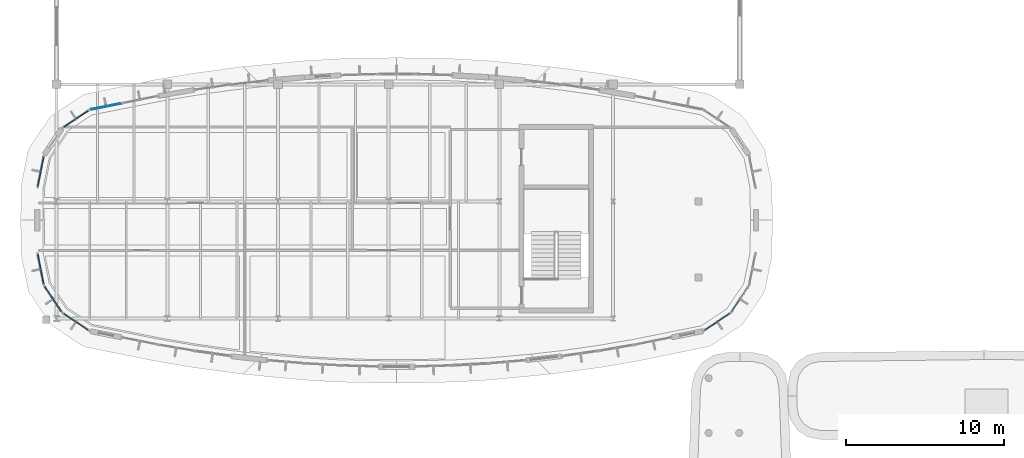
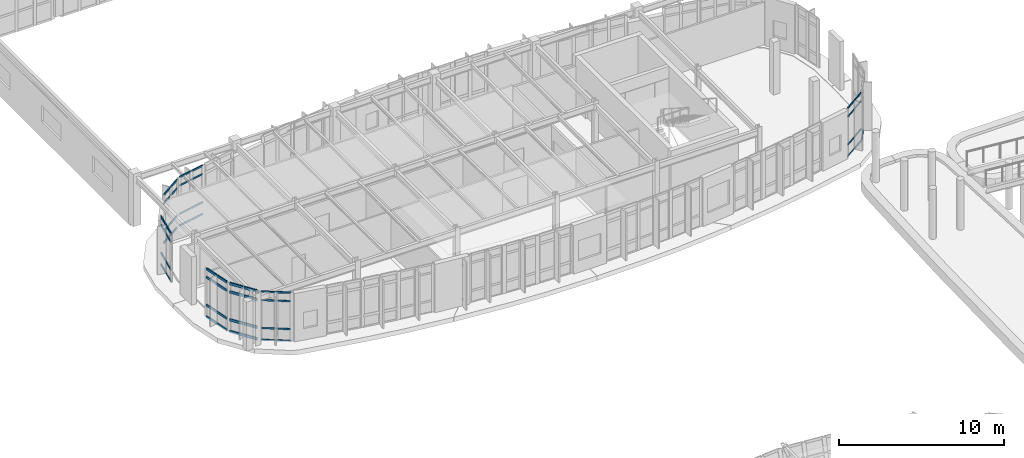
# One storey, part 60 of 111: 57 members, 8 elements without a shape of their own.
"""IFC4 building model written with IfcOpenShell, lengths in metres."""

from ifc_helpers import new_model, si_unit, direction, frame, origin, origin_2d, place, context, subcontext, project, spatial, rectangle, extrude, material, material_profile, profile_set, type_object, element, aggregate, save


model = new_model("IFC4")

# Units and contexts
model_context = context("Model", 3, precision=1e-05, world=origin(), true_north=direction((0.0, 1.0)))
body_context = subcontext(model_context, "Body", "Model", "MODEL_VIEW")
ifc_project = project(units=[si_unit("LENGTHUNIT", "METRE"), si_unit("AREAUNIT", "SQUARE_METRE"), si_unit("VOLUMEUNIT", "CUBIC_METRE"), si_unit("PLANEANGLEUNIT", "RADIAN"), si_unit("MASSUNIT", "GRAM", prefix="KILO")], contexts=[model_context])

# Site, building, storey
site_placement = place(None, origin())
site = spatial("IfcSite", under=ifc_project, at=site_placement, CompositionType="ELEMENT")
building_placement = place(site_placement, origin())
building = spatial("IfcBuilding", under=site, at=building_placement, Name="Corveleigh Park Community Centre", CompositionType="ELEMENT")
storey_placement = place(building_placement, frame((0.0, 0.0, 4.800048828125)))
storey = spatial("IfcBuildingStorey", under=building, at=storey_placement, Name="L01", CompositionType="ELEMENT", Elevation=4.800048828125)

# Curtain wall, members
ifc_material = material(Name="Anodised aluminium 6063-T6", Category="aluminium")
curtain_wall_type = type_object("IfcCurtainWallType", Name="CW-SYS-V2-HALL", PredefinedType="NOTDEFINED", material=ifc_material)
curtain_wall_1_placement = place(storey_placement, origin())
curtain_wall_1 = element("IfcCurtainWall", 1, at=curtain_wall_1_placement, inside=storey, type_object=curtain_wall_type, Name="V2 L01 Curtain Wall 206", PredefinedType="NOTDEFINED")
ifc_material_profile_1 = material_profile(ifc_material, rectangle(XDim=0.06005859375, YDim=0.1201171875, at=origin_2d()), Name="ALU-T60x120", Category="aluminium")
ifc_profile_set_1 = profile_set([ifc_material_profile_1], Name="Anodised aluminium 6063-T6")
member_type_1 = type_object("IfcMemberType", Name="CWT-60x120", PredefinedType="USERDEFINED", material=ifc_profile_set_1)
member_1_placement = place(storey_placement, frame((53.748046875, 78.2998046875, 0.030029296875), z_axis=(-0.831589501943, -0.555390763569, 0.0), x_axis=(0.555390763569, -0.831589501943, 0.0)))
member_1 = element("IfcMember", 2, at=member_1_placement, type_object=member_type_1, Name="CW04 transom 1.1", ObjectType="TRANSOM", PredefinedType="USERDEFINED", context=body_context, shape_type="SweptSolid", body=[
    extrude(rectangle(XDim=0.06005859375, YDim=0.1201171875, at=origin_2d()), origin(), (0.0, 0.0, 1.0), 0.897216796875),
])
member_2_placement = place(storey_placement, frame((53.748046875, 78.2998046875, 0.89990234375), z_axis=(-0.831589501943, -0.555390763569, 0.0), x_axis=(0.555390763569, -0.831589501943, 0.0)))
member_2 = element("IfcMember", 3, at=member_2_placement, type_object=member_type_1, Name="CW04 transom 1.2", ObjectType="TRANSOM", PredefinedType="USERDEFINED", context=body_context, shape_type="SweptSolid", body=[
    extrude(rectangle(XDim=0.06005859375, YDim=0.1201171875, at=origin_2d()), origin(), (0.0, 0.0, 1.0), 0.897216796875),
])
member_3_placement = place(storey_placement, frame((53.748046875, 78.2998046875, 2.969970703125), z_axis=(-0.831589501943, -0.555390763569, 0.0), x_axis=(0.555390763569, -0.831589501943, 0.0)))
member_3 = element("IfcMember", 4, at=member_3_placement, type_object=member_type_1, Name="CW04 transom 1.3", ObjectType="TRANSOM", PredefinedType="USERDEFINED", context=body_context, shape_type="SweptSolid", body=[
    extrude(rectangle(XDim=0.06005859375, YDim=0.1201171875, at=origin_2d()), origin(), (0.0, 0.0, 1.0), 0.897216796875),
])
member_4_placement = place(storey_placement, frame((53.748046875, 78.2998046875, 3.58984375), z_axis=(-0.831589501943, -0.555390763569, 0.0), x_axis=(0.555390763569, -0.831589501943, 0.0)))
member_4 = element("IfcMember", 5, at=member_4_placement, type_object=member_type_1, Name="CW04 transom 1.4", ObjectType="TRANSOM", PredefinedType="USERDEFINED", context=body_context, shape_type="SweptSolid", body=[
    extrude(rectangle(XDim=0.06005859375, YDim=0.1201171875, at=origin_2d()), origin(), (0.0, 0.0, 1.0), 0.897216796875),
])
member_5_placement = place(storey_placement, frame((52.947998046875, 77.765380859375, 0.030029296875), z_axis=(-0.831505536539, -0.555516464837, 0.0), x_axis=(0.555516464837, -0.831505536539, 0.0)))
member_5 = element("IfcMember", 6, at=member_5_placement, type_object=member_type_1, Name="CW04 transom 2.1", ObjectType="TRANSOM", PredefinedType="USERDEFINED", context=body_context, shape_type="SweptSolid", body=[
    extrude(rectangle(XDim=0.06005859375, YDim=0.1201171875, at=origin_2d()), origin(), (0.0, 0.0, 1.0), 0.89697265625),
])
member_6_placement = place(storey_placement, frame((52.947998046875, 77.765380859375, 0.89990234375), z_axis=(-0.831505536539, -0.555516464837, 0.0), x_axis=(0.555516464837, -0.831505536539, 0.0)))
member_6 = element("IfcMember", 7, at=member_6_placement, type_object=member_type_1, Name="CW04 transom 2.2", ObjectType="TRANSOM", PredefinedType="USERDEFINED", context=body_context, shape_type="SweptSolid", body=[
    extrude(rectangle(XDim=0.06005859375, YDim=0.1201171875, at=origin_2d()), origin(), (0.0, 0.0, 1.0), 0.89697265625),
])
member_7_placement = place(storey_placement, frame((52.947998046875, 77.765380859375, 2.969970703125), z_axis=(-0.831505536539, -0.555516464837, 0.0), x_axis=(0.555516464837, -0.831505536539, 0.0)))
member_7 = element("IfcMember", 8, at=member_7_placement, type_object=member_type_1, Name="CW04 transom 2.3", ObjectType="TRANSOM", PredefinedType="USERDEFINED", context=body_context, shape_type="SweptSolid", body=[
    extrude(rectangle(XDim=0.06005859375, YDim=0.1201171875, at=origin_2d()), origin(), (0.0, 0.0, 1.0), 0.89697265625),
])
member_8_placement = place(storey_placement, frame((52.947998046875, 77.765380859375, 3.58984375), z_axis=(-0.831505536539, -0.555516464837, 0.0), x_axis=(0.555516464837, -0.831505536539, 0.0)))
member_8 = element("IfcMember", 9, at=member_8_placement, type_object=member_type_1, Name="CW04 transom 2.4", ObjectType="TRANSOM", PredefinedType="USERDEFINED", context=body_context, shape_type="SweptSolid", body=[
    extrude(rectangle(XDim=0.06005859375, YDim=0.1201171875, at=origin_2d()), origin(), (0.0, 0.0, 1.0), 0.89697265625),
])
aggregate(curtain_wall_1, [member_1, member_2, member_3, member_4, member_5, member_6, member_7, member_8])

curtain_wall_2_placement = place(storey_placement, origin())
curtain_wall_2 = element("IfcCurtainWall", 10, at=curtain_wall_2_placement, inside=storey, type_object=curtain_wall_type, Name="V2 L01 Curtain Wall 221", PredefinedType="NOTDEFINED")
member_9_placement = place(storey_placement, frame((13.411376953125, 91.218505859375, 0.030029296875), z_axis=(0.9807064849, 0.195486036522, 0.0), x_axis=(-0.195486036522, 0.9807064849, 0.0)))
member_9 = element("IfcMember", 11, at=member_9_placement, type_object=member_type_1, Name="CW04 transom 1.1", ObjectType="TRANSOM", PredefinedType="USERDEFINED", context=body_context, shape_type="SweptSolid", body=[
    extrude(rectangle(XDim=0.06005859375, YDim=0.1201171875, at=origin_2d()), origin(), (0.0, 0.0, 1.0), 0.894287109375),
])
member_10_placement = place(storey_placement, frame((13.411376953125, 91.218505859375, 0.89990234375), z_axis=(0.9807064849, 0.195486036522, 0.0), x_axis=(-0.195486036522, 0.9807064849, 0.0)))
member_10 = element("IfcMember", 12, at=member_10_placement, type_object=member_type_1, Name="CW04 transom 1.2", ObjectType="TRANSOM", PredefinedType="USERDEFINED", context=body_context, shape_type="SweptSolid", body=[
    extrude(rectangle(XDim=0.06005859375, YDim=0.1201171875, at=origin_2d()), origin(), (0.0, 0.0, 1.0), 0.894287109375),
])
member_11_placement = place(storey_placement, frame((13.411376953125, 91.218505859375, 3.0068359375), z_axis=(0.9807064849, 0.195486036522, 0.0), x_axis=(-0.195486036522, 0.9807064849, 0.0)))
member_11 = element("IfcMember", 13, at=member_11_placement, type_object=member_type_1, Name="CW04 transom 1.3", ObjectType="TRANSOM", PredefinedType="USERDEFINED", context=body_context, shape_type="SweptSolid", body=[
    extrude(rectangle(XDim=0.06005859375, YDim=0.1201171875, at=origin_2d()), origin(), (0.0, 0.0, 1.0), 0.894287109375),
])
member_12_placement = place(storey_placement, frame((13.411376953125, 91.218505859375, 3.626953125), z_axis=(0.9807064849, 0.195486036522, 0.0), x_axis=(-0.195486036522, 0.9807064849, 0.0)))
member_12 = element("IfcMember", 14, at=member_12_placement, type_object=member_type_1, Name="CW04 transom 1.4", ObjectType="TRANSOM", PredefinedType="USERDEFINED", context=body_context, shape_type="SweptSolid", body=[
    extrude(rectangle(XDim=0.06005859375, YDim=0.1201171875, at=origin_2d()), origin(), (0.0, 0.0, 1.0), 0.894287109375),
])
member_13_placement = place(storey_placement, frame((14.36669921875, 91.40869140625, 0.030029296875), z_axis=(0.9807064849, 0.195486036522, 0.0), x_axis=(-0.195486036522, 0.9807064849, 0.0)))
member_13 = element("IfcMember", 15, at=member_13_placement, type_object=member_type_1, Name="CW04 transom 2.1", ObjectType="TRANSOM", PredefinedType="USERDEFINED", context=body_context, shape_type="SweptSolid", body=[
    extrude(rectangle(XDim=0.06005859375, YDim=0.1201171875, at=origin_2d()), origin(), (0.0, 0.0, 1.0), 0.894287109375),
])
member_14_placement = place(storey_placement, frame((14.36669921875, 91.40869140625, 0.89990234375), z_axis=(0.9807064849, 0.195486036522, 0.0), x_axis=(-0.195486036522, 0.9807064849, 0.0)))
member_14 = element("IfcMember", 16, at=member_14_placement, type_object=member_type_1, Name="CW04 transom 2.2", ObjectType="TRANSOM", PredefinedType="USERDEFINED", context=body_context, shape_type="SweptSolid", body=[
    extrude(rectangle(XDim=0.06005859375, YDim=0.1201171875, at=origin_2d()), origin(), (0.0, 0.0, 1.0), 0.894287109375),
])
member_15_placement = place(storey_placement, frame((14.36669921875, 91.40869140625, 3.0068359375), z_axis=(0.9807064849, 0.195486036522, 0.0), x_axis=(-0.195486036522, 0.9807064849, 0.0)))
member_15 = element("IfcMember", 17, at=member_15_placement, type_object=member_type_1, Name="CW04 transom 2.3", ObjectType="TRANSOM", PredefinedType="USERDEFINED", context=body_context, shape_type="SweptSolid", body=[
    extrude(rectangle(XDim=0.06005859375, YDim=0.1201171875, at=origin_2d()), origin(), (0.0, 0.0, 1.0), 0.894287109375),
])
member_16_placement = place(storey_placement, frame((14.36669921875, 91.40869140625, 3.626953125), z_axis=(0.9807064849, 0.195486036522, 0.0), x_axis=(-0.195486036522, 0.9807064849, 0.0)))
member_16 = element("IfcMember", 18, at=member_16_placement, type_object=member_type_1, Name="CW04 transom 2.4", ObjectType="TRANSOM", PredefinedType="USERDEFINED", context=body_context, shape_type="SweptSolid", body=[
    extrude(rectangle(XDim=0.06005859375, YDim=0.1201171875, at=origin_2d()), origin(), (0.0, 0.0, 1.0), 0.894287109375),
])
aggregate(curtain_wall_2, [member_9, member_10, member_11, member_12, member_13, member_14, member_15, member_16])

curtain_wall_3_placement = place(storey_placement, origin())
curtain_wall_3 = element("IfcCurtainWall", 19, at=curtain_wall_3_placement, inside=storey, type_object=curtain_wall_type, Name="V2 L01 Curtain Wall 226", PredefinedType="NOTDEFINED")
member_17_placement = place(storey_placement, frame((13.189697265625, 77.272705078125, 0.030029296875), z_axis=(-0.831496287238, 0.555530309083, 0.0), x_axis=(-0.555530309083, -0.831496287238, 0.0)))
member_17 = element("IfcMember", 20, at=member_17_placement, type_object=member_type_1, Name="CW04 transom 1.1", ObjectType="TRANSOM", PredefinedType="USERDEFINED", context=body_context, shape_type="SweptSolid", body=[
    extrude(rectangle(XDim=0.06005859375, YDim=0.1201171875, at=origin_2d()), origin(), (0.0, 0.0, 1.0), 0.882080078125),
])
member_18_placement = place(storey_placement, frame((13.189697265625, 77.272705078125, 0.89990234375), z_axis=(-0.831496287238, 0.555530309083, 0.0), x_axis=(-0.555530309083, -0.831496287238, 0.0)))
member_18 = element("IfcMember", 21, at=member_18_placement, type_object=member_type_1, Name="CW04 transom 1.2", ObjectType="TRANSOM", PredefinedType="USERDEFINED", context=body_context, shape_type="SweptSolid", body=[
    extrude(rectangle(XDim=0.06005859375, YDim=0.1201171875, at=origin_2d()), origin(), (0.0, 0.0, 1.0), 0.882080078125),
])
member_19_placement = place(storey_placement, frame((13.189697265625, 77.272705078125, 2.969970703125), z_axis=(-0.831496287238, 0.555530309083, 0.0), x_axis=(-0.555530309083, -0.831496287238, 0.0)))
member_19 = element("IfcMember", 22, at=member_19_placement, type_object=member_type_1, Name="CW04 transom 1.3", ObjectType="TRANSOM", PredefinedType="USERDEFINED", context=body_context, shape_type="SweptSolid", body=[
    extrude(rectangle(XDim=0.06005859375, YDim=0.1201171875, at=origin_2d()), origin(), (0.0, 0.0, 1.0), 0.882080078125),
])
member_20_placement = place(storey_placement, frame((13.189697265625, 77.272705078125, 3.58984375), z_axis=(-0.831496287238, 0.555530309083, 0.0), x_axis=(-0.555530309083, -0.831496287238, 0.0)))
member_20 = element("IfcMember", 23, at=member_20_placement, type_object=member_type_1, Name="CW04 transom 1.4", ObjectType="TRANSOM", PredefinedType="USERDEFINED", context=body_context, shape_type="SweptSolid", body=[
    extrude(rectangle(XDim=0.06005859375, YDim=0.1201171875, at=origin_2d()), origin(), (0.0, 0.0, 1.0), 0.882080078125),
])
member_21_placement = place(storey_placement, frame((12.393798828125, 77.804443359375, 0.030029296875), z_axis=(-0.831496287238, 0.555530309083, 0.0), x_axis=(-0.555530309083, -0.831496287238, 0.0)))
member_21 = element("IfcMember", 24, at=member_21_placement, type_object=member_type_1, Name="CW04 transom 2.1", ObjectType="TRANSOM", PredefinedType="USERDEFINED", context=body_context, shape_type="SweptSolid", body=[
    extrude(rectangle(XDim=0.06005859375, YDim=0.1201171875, at=origin_2d()), origin(), (0.0, 0.0, 1.0), 0.882080078125),
])
member_22_placement = place(storey_placement, frame((12.393798828125, 77.804443359375, 0.89990234375), z_axis=(-0.831496287238, 0.555530309083, 0.0), x_axis=(-0.555530309083, -0.831496287238, 0.0)))
member_22 = element("IfcMember", 25, at=member_22_placement, type_object=member_type_1, Name="CW04 transom 2.2", ObjectType="TRANSOM", PredefinedType="USERDEFINED", context=body_context, shape_type="SweptSolid", body=[
    extrude(rectangle(XDim=0.06005859375, YDim=0.1201171875, at=origin_2d()), origin(), (0.0, 0.0, 1.0), 0.882080078125),
])
member_23_placement = place(storey_placement, frame((12.393798828125, 77.804443359375, 2.969970703125), z_axis=(-0.831496287238, 0.555530309083, 0.0), x_axis=(-0.555530309083, -0.831496287238, 0.0)))
member_23 = element("IfcMember", 26, at=member_23_placement, type_object=member_type_1, Name="CW04 transom 2.3", ObjectType="TRANSOM", PredefinedType="USERDEFINED", context=body_context, shape_type="SweptSolid", body=[
    extrude(rectangle(XDim=0.06005859375, YDim=0.1201171875, at=origin_2d()), origin(), (0.0, 0.0, 1.0), 0.882080078125),
])
member_24_placement = place(storey_placement, frame((12.393798828125, 77.804443359375, 3.58984375), z_axis=(-0.831496287238, 0.555530309083, 0.0), x_axis=(-0.555530309083, -0.831496287238, 0.0)))
member_24 = element("IfcMember", 27, at=member_24_placement, type_object=member_type_1, Name="CW04 transom 2.4", ObjectType="TRANSOM", PredefinedType="USERDEFINED", context=body_context, shape_type="SweptSolid", body=[
    extrude(rectangle(XDim=0.06005859375, YDim=0.1201171875, at=origin_2d()), origin(), (0.0, 0.0, 1.0), 0.882080078125),
])
aggregate(curtain_wall_3, [member_17, member_18, member_19, member_20, member_21, member_22, member_23, member_24])

# Curtain wall, member
curtain_wall_4_placement = place(storey_placement, origin())
curtain_wall_4 = element("IfcCurtainWall", 28, at=curtain_wall_4_placement, inside=storey, type_object=curtain_wall_type, Name="V2 L01 Curtain Wall 207", PredefinedType="NOTDEFINED")
ifc_material_profile_2 = material_profile(ifc_material, rectangle(XDim=0.06494140625, YDim=0.139892578125, at=origin_2d()), Name="ALU-T65x140", Category="aluminium")
ifc_profile_set_2 = profile_set([ifc_material_profile_2], Name="Anodised aluminium 6063-T6")
member_type_2 = type_object("IfcMemberType", Name="CWT-65x140", PredefinedType="USERDEFINED", material=ifc_profile_set_2)
member_25_placement = place(storey_placement, frame((54.39697265625, 79.19580078125, 0.032470703125), z_axis=(-0.555586725262, -0.831458592302, 0.0), x_axis=(0.831458592302, -0.555586725262, 0.0)))
member_25 = element("IfcMember", 29, at=member_25_placement, type_object=member_type_2, Name="CW04 transom 2.1", ObjectType="TRANSOM", PredefinedType="USERDEFINED", context=body_context, shape_type="SweptSolid", body=[
    extrude(rectangle(XDim=0.06494140625, YDim=0.139892578125, at=origin_2d()), origin(), (0.0, 0.0, 1.0), 0.889404296875),
])
aggregate(curtain_wall_4, [member_25])

# Curtain wall, members
curtain_wall_5_placement = place(storey_placement, origin())
curtain_wall_5 = element("IfcCurtainWall", 30, at=curtain_wall_5_placement, inside=storey, type_object=curtain_wall_type, Name="V2 L01 Curtain Wall 222", PredefinedType="NOTDEFINED")
member_26_placement = place(storey_placement, frame((11.668701171875, 90.111328125, 0.032470703125), z_axis=(0.831616782684, 0.555349913801, 0.0), x_axis=(-0.555349913801, 0.831616782684, 0.0)))
member_26 = element("IfcMember", 31, at=member_26_placement, type_object=member_type_2, Name="CW04 transom 1.1", ObjectType="TRANSOM", PredefinedType="USERDEFINED", context=body_context, shape_type="SweptSolid", body=[
    extrude(rectangle(XDim=0.06494140625, YDim=0.139892578125, at=origin_2d()), origin(), (0.0, 0.0, 1.0), 0.866943359375),
])
member_27_placement = place(storey_placement, frame((11.668701171875, 90.111328125, 0.89990234375), z_axis=(0.831616782684, 0.555349913801, 0.0), x_axis=(-0.555349913801, 0.831616782684, 0.0)))
member_27 = element("IfcMember", 32, at=member_27_placement, type_object=member_type_2, Name="CW04 transom 1.2", ObjectType="TRANSOM", PredefinedType="USERDEFINED", context=body_context, shape_type="SweptSolid", body=[
    extrude(rectangle(XDim=0.06494140625, YDim=0.139892578125, at=origin_2d()), origin(), (0.0, 0.0, 1.0), 0.866943359375),
])
member_28_placement = place(storey_placement, frame((11.668701171875, 90.111328125, 2.9619140625), z_axis=(0.831616782684, 0.555349913801, 0.0), x_axis=(-0.555349913801, 0.831616782684, 0.0)))
member_28 = element("IfcMember", 33, at=member_28_placement, type_object=member_type_2, Name="CW04 transom 1.3", ObjectType="TRANSOM", PredefinedType="USERDEFINED", context=body_context, shape_type="SweptSolid", body=[
    extrude(rectangle(XDim=0.06494140625, YDim=0.139892578125, at=origin_2d()), origin(), (0.0, 0.0, 1.0), 0.866943359375),
])
member_29_placement = place(storey_placement, frame((11.668701171875, 90.111328125, 3.579345703125), z_axis=(0.831616782684, 0.555349913801, 0.0), x_axis=(-0.555349913801, 0.831616782684, 0.0)))
member_29 = element("IfcMember", 34, at=member_29_placement, type_object=member_type_2, Name="CW04 transom 1.4", ObjectType="TRANSOM", PredefinedType="USERDEFINED", context=body_context, shape_type="SweptSolid", body=[
    extrude(rectangle(XDim=0.06494140625, YDim=0.139892578125, at=origin_2d()), origin(), (0.0, 0.0, 1.0), 0.866943359375),
])
member_30_placement = place(storey_placement, frame((12.46044921875, 90.64013671875, 0.032470703125), z_axis=(0.831486718429, 0.55554463104, 0.0), x_axis=(-0.55554463104, 0.831486718429, 0.0)))
member_30 = element("IfcMember", 35, at=member_30_placement, type_object=member_type_2, Name="CW04 transom 2.1", ObjectType="TRANSOM", PredefinedType="USERDEFINED", context=body_context, shape_type="SweptSolid", body=[
    extrude(rectangle(XDim=0.06494140625, YDim=0.139892578125, at=origin_2d()), origin(), (0.0, 0.0, 1.0), 0.866943359375),
])
member_31_placement = place(storey_placement, frame((12.46044921875, 90.64013671875, 0.89990234375), z_axis=(0.831486718429, 0.55554463104, 0.0), x_axis=(-0.55554463104, 0.831486718429, 0.0)))
member_31 = element("IfcMember", 36, at=member_31_placement, type_object=member_type_2, Name="CW04 transom 2.2", ObjectType="TRANSOM", PredefinedType="USERDEFINED", context=body_context, shape_type="SweptSolid", body=[
    extrude(rectangle(XDim=0.06494140625, YDim=0.139892578125, at=origin_2d()), origin(), (0.0, 0.0, 1.0), 0.866943359375),
])
member_32_placement = place(storey_placement, frame((12.46044921875, 90.64013671875, 2.9619140625), z_axis=(0.831486718429, 0.55554463104, 0.0), x_axis=(-0.55554463104, 0.831486718429, 0.0)))
member_32 = element("IfcMember", 37, at=member_32_placement, type_object=member_type_2, Name="CW04 transom 2.3", ObjectType="TRANSOM", PredefinedType="USERDEFINED", context=body_context, shape_type="SweptSolid", body=[
    extrude(rectangle(XDim=0.06494140625, YDim=0.139892578125, at=origin_2d()), origin(), (0.0, 0.0, 1.0), 0.866943359375),
])
member_33_placement = place(storey_placement, frame((12.46044921875, 90.64013671875, 3.579345703125), z_axis=(0.831486718429, 0.55554463104, 0.0), x_axis=(-0.55554463104, 0.831486718429, 0.0)))
member_33 = element("IfcMember", 38, at=member_33_placement, type_object=member_type_2, Name="CW04 transom 2.4", ObjectType="TRANSOM", PredefinedType="USERDEFINED", context=body_context, shape_type="SweptSolid", body=[
    extrude(rectangle(XDim=0.06494140625, YDim=0.139892578125, at=origin_2d()), origin(), (0.0, 0.0, 1.0), 0.866943359375),
])
aggregate(curtain_wall_5, [member_26, member_27, member_28, member_29, member_30, member_31, member_32, member_33])

curtain_wall_6_placement = place(storey_placement, origin())
curtain_wall_6 = element("IfcCurtainWall", 39, at=curtain_wall_6_placement, inside=storey, type_object=curtain_wall_type, Name="V2 L01 Curtain Wall 223", PredefinedType="NOTDEFINED")
ifc_material_profile_3 = material_profile(ifc_material, rectangle(XDim=0.070068359375, YDim=0.155029296875, at=origin_2d()), Name="ALU-T70x155", Category="aluminium")
ifc_profile_set_3 = profile_set([ifc_material_profile_3], Name="Anodised aluminium 6063-T6")
member_type_3 = type_object("IfcMemberType", Name="CWT-70x155", PredefinedType="USERDEFINED", material=ifc_profile_set_3)
member_34_placement = place(storey_placement, frame((10.0166015625, 86.354736328125, 0.034912109375), z_axis=(0.19503851259, 0.980795584516, 0.0), x_axis=(-0.980795584516, 0.19503851259, 0.0)))
member_34 = element("IfcMember", 40, at=member_34_placement, type_object=member_type_3, Name="CW04 transom 1.1", ObjectType="TRANSOM", PredefinedType="USERDEFINED", context=body_context, shape_type="SweptSolid", body=[
    extrude(rectangle(XDim=0.070068359375, YDim=0.155029296875, at=origin_2d()), origin(), (0.0, 0.0, 1.0), 0.9150390625),
])
member_35_placement = place(storey_placement, frame((10.0166015625, 86.354736328125, 0.89990234375), z_axis=(0.19503851259, 0.980795584516, 0.0), x_axis=(-0.980795584516, 0.19503851259, 0.0)))
member_35 = element("IfcMember", 41, at=member_35_placement, type_object=member_type_3, Name="CW04 transom 1.2", ObjectType="TRANSOM", PredefinedType="USERDEFINED", context=body_context, shape_type="SweptSolid", body=[
    extrude(rectangle(XDim=0.070068359375, YDim=0.155029296875, at=origin_2d()), origin(), (0.0, 0.0, 1.0), 0.9150390625),
])
member_36_placement = place(storey_placement, frame((10.0166015625, 86.354736328125, 2.9619140625), z_axis=(0.19503851259, 0.980795584516, 0.0), x_axis=(-0.980795584516, 0.19503851259, 0.0)))
member_36 = element("IfcMember", 42, at=member_36_placement, type_object=member_type_3, Name="CW04 transom 1.3", ObjectType="TRANSOM", PredefinedType="USERDEFINED", context=body_context, shape_type="SweptSolid", body=[
    extrude(rectangle(XDim=0.070068359375, YDim=0.155029296875, at=origin_2d()), origin(), (0.0, 0.0, 1.0), 0.9150390625),
])
member_37_placement = place(storey_placement, frame((10.0166015625, 86.354736328125, 3.576904296875), z_axis=(0.19503851259, 0.980795584516, 0.0), x_axis=(-0.980795584516, 0.19503851259, 0.0)))
member_37 = element("IfcMember", 43, at=member_37_placement, type_object=member_type_3, Name="CW04 transom 1.4", ObjectType="TRANSOM", PredefinedType="USERDEFINED", context=body_context, shape_type="SweptSolid", body=[
    extrude(rectangle(XDim=0.070068359375, YDim=0.155029296875, at=origin_2d()), origin(), (0.0, 0.0, 1.0), 0.9150390625),
])
member_38_placement = place(storey_placement, frame((10.206787109375, 87.31103515625, 0.034912109375), z_axis=(0.195089564653, 0.980785431052, 0.0), x_axis=(-0.980785431052, 0.195089564653, 0.0)))
member_38 = element("IfcMember", 44, at=member_38_placement, type_object=member_type_3, Name="CW04 transom 2.1", ObjectType="TRANSOM", PredefinedType="USERDEFINED", context=body_context, shape_type="SweptSolid", body=[
    extrude(rectangle(XDim=0.070068359375, YDim=0.155029296875, at=origin_2d()), origin(), (0.0, 0.0, 1.0), 0.914794921875),
])
member_39_placement = place(storey_placement, frame((10.206787109375, 87.31103515625, 0.89990234375), z_axis=(0.195089564653, 0.980785431052, 0.0), x_axis=(-0.980785431052, 0.195089564653, 0.0)))
member_39 = element("IfcMember", 45, at=member_39_placement, type_object=member_type_3, Name="CW04 transom 2.2", ObjectType="TRANSOM", PredefinedType="USERDEFINED", context=body_context, shape_type="SweptSolid", body=[
    extrude(rectangle(XDim=0.070068359375, YDim=0.155029296875, at=origin_2d()), origin(), (0.0, 0.0, 1.0), 0.914794921875),
])
member_40_placement = place(storey_placement, frame((10.206787109375, 87.31103515625, 2.9619140625), z_axis=(0.195089564653, 0.980785431052, 0.0), x_axis=(-0.980785431052, 0.195089564653, 0.0)))
member_40 = element("IfcMember", 46, at=member_40_placement, type_object=member_type_3, Name="CW04 transom 2.3", ObjectType="TRANSOM", PredefinedType="USERDEFINED", context=body_context, shape_type="SweptSolid", body=[
    extrude(rectangle(XDim=0.070068359375, YDim=0.155029296875, at=origin_2d()), origin(), (0.0, 0.0, 1.0), 0.914794921875),
])
member_41_placement = place(storey_placement, frame((10.206787109375, 87.31103515625, 3.576904296875), z_axis=(0.195089564653, 0.980785431052, 0.0), x_axis=(-0.980785431052, 0.195089564653, 0.0)))
member_41 = element("IfcMember", 47, at=member_41_placement, type_object=member_type_3, Name="CW04 transom 2.4", ObjectType="TRANSOM", PredefinedType="USERDEFINED", context=body_context, shape_type="SweptSolid", body=[
    extrude(rectangle(XDim=0.070068359375, YDim=0.155029296875, at=origin_2d()), origin(), (0.0, 0.0, 1.0), 0.914794921875),
])
aggregate(curtain_wall_6, [member_34, member_35, member_36, member_37, member_38, member_39, member_40, member_41])

curtain_wall_7_placement = place(storey_placement, origin())
curtain_wall_7 = element("IfcCurtainWall", 48, at=curtain_wall_7_placement, inside=storey, type_object=curtain_wall_type, Name="V2 L01 Curtain Wall 224", PredefinedType="NOTDEFINED")
ifc_material_profile_4 = material_profile(ifc_material, rectangle(XDim=0.074951171875, YDim=0.175048828125, at=origin_2d()), Name="ALU-T75x175", Category="aluminium")
ifc_profile_set_4 = profile_set([ifc_material_profile_4], Name="Anodised aluminium 6063-T6")
member_type_4 = type_object("IfcMemberType", Name="CWT-75x175", PredefinedType="USERDEFINED", material=ifc_profile_set_4)
member_42_placement = place(storey_placement, frame((10.38427734375, 80.19677734375, 0.037353515625), z_axis=(-0.195081112847, 0.980787112176, 0.0), x_axis=(-0.980787112176, -0.195081112847, 0.0)))
member_42 = element("IfcMember", 49, at=member_42_placement, type_object=member_type_4, Name="CW04 transom 1.1", ObjectType="TRANSOM", PredefinedType="USERDEFINED", context=body_context, shape_type="SweptSolid", body=[
    extrude(rectangle(XDim=0.074951171875, YDim=0.175048828125, at=origin_2d()), origin(), (0.0, 0.0, 1.0), 0.9072265625),
])
member_43_placement = place(storey_placement, frame((10.38427734375, 80.19677734375, 0.89990234375), z_axis=(-0.195081112847, 0.980787112176, 0.0), x_axis=(-0.980787112176, -0.195081112847, 0.0)))
member_43 = element("IfcMember", 50, at=member_43_placement, type_object=member_type_4, Name="CW04 transom 1.2", ObjectType="TRANSOM", PredefinedType="USERDEFINED", context=body_context, shape_type="SweptSolid", body=[
    extrude(rectangle(XDim=0.074951171875, YDim=0.175048828125, at=origin_2d()), origin(), (0.0, 0.0, 1.0), 0.9072265625),
])
member_44_placement = place(storey_placement, frame((10.38427734375, 80.19677734375, 2.969970703125), z_axis=(-0.195081112847, 0.980787112176, 0.0), x_axis=(-0.980787112176, -0.195081112847, 0.0)))
member_44 = element("IfcMember", 51, at=member_44_placement, type_object=member_type_4, Name="CW04 transom 1.3", ObjectType="TRANSOM", PredefinedType="USERDEFINED", context=body_context, shape_type="SweptSolid", body=[
    extrude(rectangle(XDim=0.074951171875, YDim=0.175048828125, at=origin_2d()), origin(), (0.0, 0.0, 1.0), 0.9072265625),
])
member_45_placement = place(storey_placement, frame((10.38427734375, 80.19677734375, 3.58251953125), z_axis=(-0.195081112847, 0.980787112176, 0.0), x_axis=(-0.980787112176, -0.195081112847, 0.0)))
member_45 = element("IfcMember", 52, at=member_45_placement, type_object=member_type_4, Name="CW04 transom 1.4", ObjectType="TRANSOM", PredefinedType="USERDEFINED", context=body_context, shape_type="SweptSolid", body=[
    extrude(rectangle(XDim=0.074951171875, YDim=0.175048828125, at=origin_2d()), origin(), (0.0, 0.0, 1.0), 0.9072265625),
])
member_46_placement = place(storey_placement, frame((10.194580078125, 81.150390625, 0.037353515625), z_axis=(-0.195081112847, 0.980787112176, 0.0), x_axis=(-0.980787112176, -0.195081112847, 0.0)))
member_46 = element("IfcMember", 53, at=member_46_placement, type_object=member_type_4, Name="CW04 transom 2.1", ObjectType="TRANSOM", PredefinedType="USERDEFINED", context=body_context, shape_type="SweptSolid", body=[
    extrude(rectangle(XDim=0.074951171875, YDim=0.175048828125, at=origin_2d()), origin(), (0.0, 0.0, 1.0), 0.9072265625),
])
member_47_placement = place(storey_placement, frame((10.194580078125, 81.150390625, 0.89990234375), z_axis=(-0.195081112847, 0.980787112176, 0.0), x_axis=(-0.980787112176, -0.195081112847, 0.0)))
member_47 = element("IfcMember", 54, at=member_47_placement, type_object=member_type_4, Name="CW04 transom 2.2", ObjectType="TRANSOM", PredefinedType="USERDEFINED", context=body_context, shape_type="SweptSolid", body=[
    extrude(rectangle(XDim=0.074951171875, YDim=0.175048828125, at=origin_2d()), origin(), (0.0, 0.0, 1.0), 0.9072265625),
])
member_48_placement = place(storey_placement, frame((10.194580078125, 81.150390625, 2.969970703125), z_axis=(-0.195081112847, 0.980787112176, 0.0), x_axis=(-0.980787112176, -0.195081112847, 0.0)))
member_48 = element("IfcMember", 55, at=member_48_placement, type_object=member_type_4, Name="CW04 transom 2.3", ObjectType="TRANSOM", PredefinedType="USERDEFINED", context=body_context, shape_type="SweptSolid", body=[
    extrude(rectangle(XDim=0.074951171875, YDim=0.175048828125, at=origin_2d()), origin(), (0.0, 0.0, 1.0), 0.9072265625),
])
member_49_placement = place(storey_placement, frame((10.194580078125, 81.150390625, 3.58251953125), z_axis=(-0.195081112847, 0.980787112176, 0.0), x_axis=(-0.980787112176, -0.195081112847, 0.0)))
member_49 = element("IfcMember", 56, at=member_49_placement, type_object=member_type_4, Name="CW04 transom 2.4", ObjectType="TRANSOM", PredefinedType="USERDEFINED", context=body_context, shape_type="SweptSolid", body=[
    extrude(rectangle(XDim=0.074951171875, YDim=0.175048828125, at=origin_2d()), origin(), (0.0, 0.0, 1.0), 0.9072265625),
])
aggregate(curtain_wall_7, [member_42, member_43, member_44, member_45, member_46, member_47, member_48, member_49])

curtain_wall_8_placement = place(storey_placement, origin())
curtain_wall_8 = element("IfcCurtainWall", 57, at=curtain_wall_8_placement, inside=storey, type_object=curtain_wall_type, Name="V2 L01 Curtain Wall 225", PredefinedType="NOTDEFINED")
ifc_material_profile_5 = material_profile(ifc_material, rectangle(XDim=0.080078125, YDim=0.195068359375, at=origin_2d()), Name="ALU-T80x195", Category="aluminium")
ifc_profile_set_5 = profile_set([ifc_material_profile_5], Name="Anodised aluminium 6063-T6")
member_type_5 = type_object("IfcMemberType", Name="CWT-80x195", PredefinedType="USERDEFINED", material=ifc_profile_set_5)
member_50_placement = place(storey_placement, frame((11.4970703125, 78.456298828125, 0.0400390625), z_axis=(-0.555586725262, 0.831458592302, 0.0), x_axis=(-0.831458592302, -0.555586725262, 0.0)))
member_50 = element("IfcMember", 58, at=member_50_placement, type_object=member_type_5, Name="CW04 transom 1.1", ObjectType="TRANSOM", PredefinedType="USERDEFINED", context=body_context, shape_type="SweptSolid", body=[
    extrude(rectangle(XDim=0.080078125, YDim=0.195068359375, at=origin_2d()), origin(), (0.0, 0.0, 1.0), 0.889404296875),
])
member_51_placement = place(storey_placement, frame((11.4970703125, 78.456298828125, 0.89990234375), z_axis=(-0.555586725262, 0.831458592302, 0.0), x_axis=(-0.831458592302, -0.555586725262, 0.0)))
member_51 = element("IfcMember", 59, at=member_51_placement, type_object=member_type_5, Name="CW04 transom 1.2", ObjectType="TRANSOM", PredefinedType="USERDEFINED", context=body_context, shape_type="SweptSolid", body=[
    extrude(rectangle(XDim=0.080078125, YDim=0.195068359375, at=origin_2d()), origin(), (0.0, 0.0, 1.0), 0.889404296875),
])
member_52_placement = place(storey_placement, frame((11.4970703125, 78.456298828125, 2.969970703125), z_axis=(-0.555586725262, 0.831458592302, 0.0), x_axis=(-0.831458592302, -0.555586725262, 0.0)))
member_52 = element("IfcMember", 60, at=member_52_placement, type_object=member_type_5, Name="CW04 transom 1.3", ObjectType="TRANSOM", PredefinedType="USERDEFINED", context=body_context, shape_type="SweptSolid", body=[
    extrude(rectangle(XDim=0.080078125, YDim=0.195068359375, at=origin_2d()), origin(), (0.0, 0.0, 1.0), 0.889404296875),
])
member_53_placement = place(storey_placement, frame((11.4970703125, 78.456298828125, 3.579833984375), z_axis=(-0.555586725262, 0.831458592302, 0.0), x_axis=(-0.831458592302, -0.555586725262, 0.0)))
member_53 = element("IfcMember", 61, at=member_53_placement, type_object=member_type_5, Name="CW04 transom 1.4", ObjectType="TRANSOM", PredefinedType="USERDEFINED", context=body_context, shape_type="SweptSolid", body=[
    extrude(rectangle(XDim=0.080078125, YDim=0.195068359375, at=origin_2d()), origin(), (0.0, 0.0, 1.0), 0.889404296875),
])
member_54_placement = place(storey_placement, frame((10.964111328125, 79.254150390625, 0.0400390625), z_axis=(-0.555459943482, 0.831543294836, 0.0), x_axis=(-0.831543294836, -0.555459943482, 0.0)))
member_54 = element("IfcMember", 62, at=member_54_placement, type_object=member_type_5, Name="CW04 transom 2.1", ObjectType="TRANSOM", PredefinedType="USERDEFINED", context=body_context, shape_type="SweptSolid", body=[
    extrude(rectangle(XDim=0.080078125, YDim=0.195068359375, at=origin_2d()), origin(), (0.0, 0.0, 1.0), 0.8896484375),
])
member_55_placement = place(storey_placement, frame((10.964111328125, 79.254150390625, 0.89990234375), z_axis=(-0.555459943482, 0.831543294836, 0.0), x_axis=(-0.831543294836, -0.555459943482, 0.0)))
member_55 = element("IfcMember", 63, at=member_55_placement, type_object=member_type_5, Name="CW04 transom 2.2", ObjectType="TRANSOM", PredefinedType="USERDEFINED", context=body_context, shape_type="SweptSolid", body=[
    extrude(rectangle(XDim=0.080078125, YDim=0.195068359375, at=origin_2d()), origin(), (0.0, 0.0, 1.0), 0.8896484375),
])
member_56_placement = place(storey_placement, frame((10.964111328125, 79.254150390625, 2.969970703125), z_axis=(-0.555459943482, 0.831543294836, 0.0), x_axis=(-0.831543294836, -0.555459943482, 0.0)))
member_56 = element("IfcMember", 64, at=member_56_placement, type_object=member_type_5, Name="CW04 transom 2.3", ObjectType="TRANSOM", PredefinedType="USERDEFINED", context=body_context, shape_type="SweptSolid", body=[
    extrude(rectangle(XDim=0.080078125, YDim=0.195068359375, at=origin_2d()), origin(), (0.0, 0.0, 1.0), 0.8896484375),
])
member_57_placement = place(storey_placement, frame((10.964111328125, 79.254150390625, 3.579833984375), z_axis=(-0.555459943482, 0.831543294836, 0.0), x_axis=(-0.831543294836, -0.555459943482, 0.0)))
member_57 = element("IfcMember", 65, at=member_57_placement, type_object=member_type_5, Name="CW04 transom 2.4", ObjectType="TRANSOM", PredefinedType="USERDEFINED", context=body_context, shape_type="SweptSolid", body=[
    extrude(rectangle(XDim=0.080078125, YDim=0.195068359375, at=origin_2d()), origin(), (0.0, 0.0, 1.0), 0.8896484375),
])
aggregate(curtain_wall_8, [member_50, member_51, member_52, member_53, member_54, member_55, member_56, member_57])

save(model, "model.ifc")
